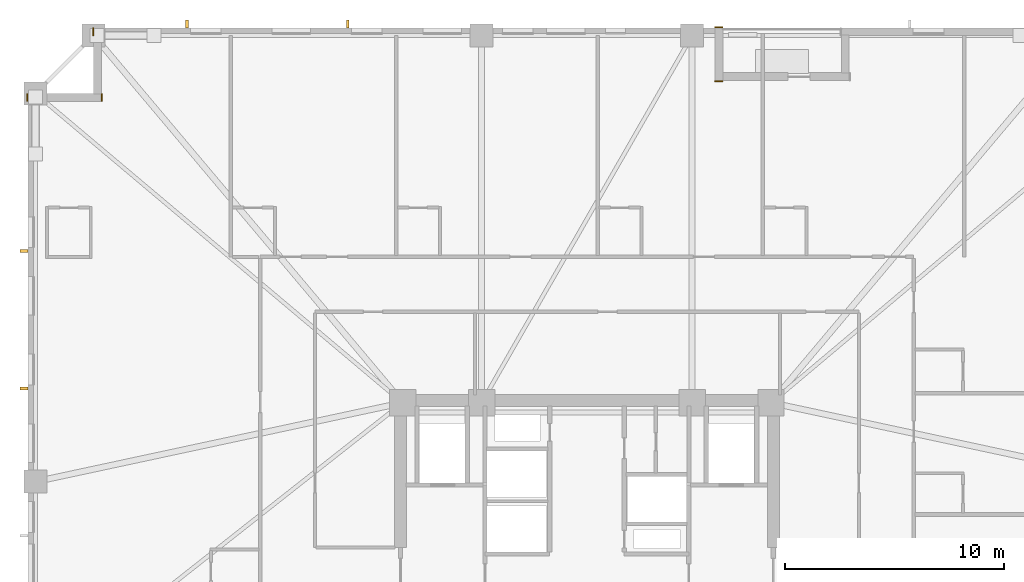
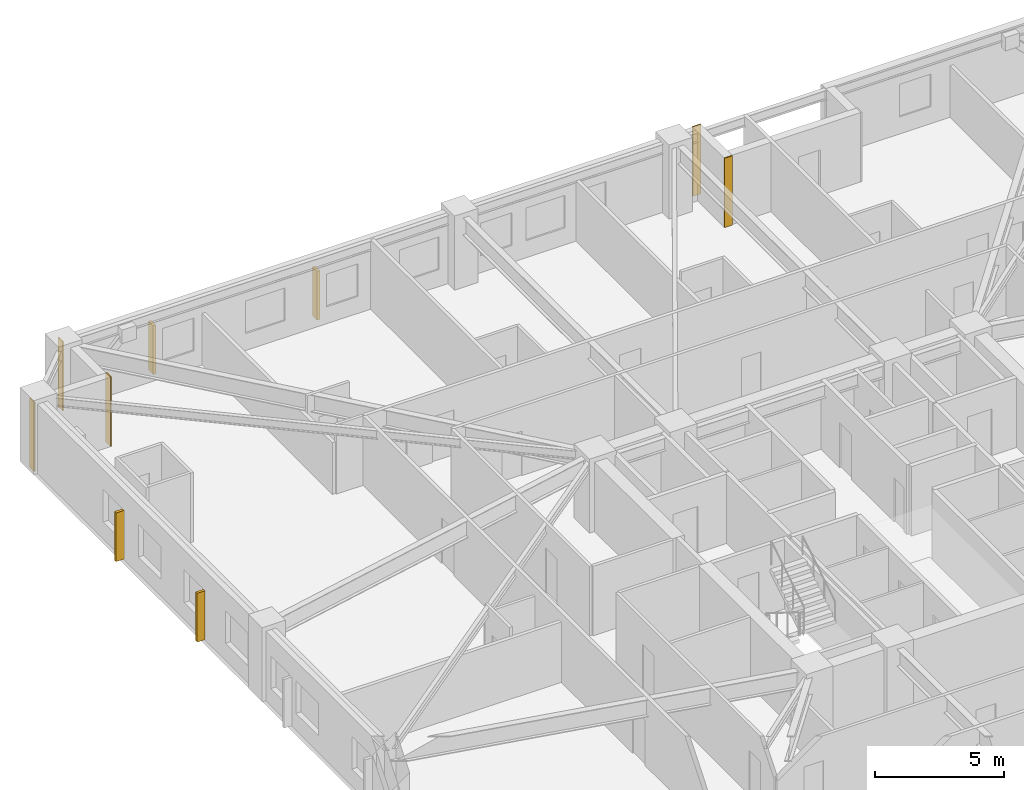
# One storey, part 11 of 12: 5 coverings, 4 shading devices.
"""IFC4 building model written with IfcOpenShell, lengths in metres."""

import ifcopenshell
import ifcopenshell.guid

model = None  # the IFC model being written
_history = None  # IfcOwnerHistory: only IFC2X3 demands one
_inside = {}  # id of a spatial element -> (the spatial element, [elements in it])
_under = {}  # id of a project, library or spatial element -> (it, [spatial elements below it])
_declared = {}  # id of a project -> (the project, [libraries it declares])
_typed = {}  # id of a type object -> (the type object, [elements of that type])
_made_of = {}  # id of a material, layer set ... -> (it, [elements and type objects made of it])


def new_model(schema):
    """Start an empty IFC model of exactly this schema.

    Asked for "IFC4X3", IfcOpenShell would pick the latest addendum, in which some entities
    have other attributes; the version numbers below select the first issue.
    IFC2X3 requires an IfcOwnerHistory on every rooted entity: one is made here for all.
    """
    global model, _history
    if schema == "IFC4X3":
        model = ifcopenshell.file(schema_version=(4, 3, 0, 0))
    else:
        model = ifcopenshell.file(schema=schema)
    _inside.clear()
    _under.clear()
    _declared.clear()
    _typed.clear()
    _made_of.clear()
    _history = None
    if model.schema == "IFC2X3":
        org = make("IfcOrganization", Name="unknown")
        user = make(
            "IfcPersonAndOrganization",
            ThePerson=make("IfcPerson", FamilyName="unknown"),
            TheOrganization=org,
        )
        app = make(
            "IfcApplication",
            ApplicationDeveloper=org,
            Version="unknown",
            ApplicationFullName="unknown",
            ApplicationIdentifier="unknown",
        )
        _history = make(
            "IfcOwnerHistory",
            OwningUser=user,
            OwningApplication=app,
            ChangeAction="ADDED",
            CreationDate=0,
        )
    return model


def make(cls, **values):
    """One entity of the class cls with the attributes given. An attribute that is None is left unset."""
    return model.create_entity(
        cls, **{name: value for name, value in values.items() if value is not None}
    )


def rooted(cls, **values):
    """An entity with a GlobalId (a new one), such as an element, a storey or a relation."""
    return make(cls, GlobalId=ifcopenshell.guid.new(), OwnerHistory=_history, **values)


def si_unit(unit_type, name, prefix=None):
    """IfcSIUnit, for example si_unit("LENGTHUNIT", "METRE", prefix="MILLI")."""
    return make("IfcSIUnit", UnitType=unit_type, Prefix=prefix, Name=name)


def assignment(units):
    """IfcUnitAssignment: the units of a project."""
    return None if units is None else make("IfcUnitAssignment", Units=units)


def point(xyz):
    """IfcCartesianPoint."""
    return None if xyz is None else make("IfcCartesianPoint", Coordinates=xyz)


def direction(xyz):
    """IfcDirection."""
    return None if xyz is None else make("IfcDirection", DirectionRatios=xyz)


def frame(location, z_axis=None, x_axis=None):
    """IfcAxis2Placement3D, a coordinate frame: its origin and axes. An axis left out is left unset."""
    return make(
        "IfcAxis2Placement3D",
        Location=point(location),
        Axis=direction(z_axis),
        RefDirection=direction(x_axis),
    )


def frame_2d(location, x_axis=None):
    """IfcAxis2Placement2D, a coordinate frame in the plane: its origin and x axis."""
    return make(
        "IfcAxis2Placement2D", Location=point(location), RefDirection=direction(x_axis)
    )


def origin():
    """The frame at (0, 0, 0) with its axes left unset."""
    return frame((0.0, 0.0, 0.0))


def origin_2d():
    """The frame at (0, 0) in the plane with its x axis left unset."""
    return frame_2d((0.0, 0.0))


def place(relative_to, where):
    """IfcLocalPlacement: puts the frame where relative to a parent placement (None: the world)."""
    return make(
        "IfcLocalPlacement", PlacementRelTo=relative_to, RelativePlacement=where
    )


def context(
    kind, dimensions, precision=None, world=None, true_north=None, identifier=None
):
    """IfcGeometricRepresentationContext, for example the 3D "Model" context."""
    return make(
        "IfcGeometricRepresentationContext",
        ContextIdentifier=identifier,
        ContextType=kind,
        CoordinateSpaceDimension=dimensions,
        Precision=precision,
        WorldCoordinateSystem=world,
        TrueNorth=true_north,
    )


def subcontext(parent, identifier, kind, view, scale=None):
    """IfcGeometricRepresentationSubContext, for example "Body" below "Model"."""
    return make(
        "IfcGeometricRepresentationSubContext",
        ContextIdentifier=identifier,
        ContextType=kind,
        ParentContext=parent,
        TargetScale=scale,
        TargetView=view,
    )


def project(units=None, contexts=None):
    """IfcProject with its units and contexts."""
    return rooted(
        "IfcProject",
        Name="project",
        RepresentationContexts=contexts,
        UnitsInContext=assignment(units),
    )


def spatial(cls, under=None, at=None, **own):
    """A site, building, storey or space (cls), placed at a placement, below another one or the project."""
    s = rooted(cls, ObjectPlacement=at, **own)
    if under is not None:
        _under.setdefault(under.id(), (under, []))[1].append(s)
    return s


def profile(cls, at=None, kind="AREA", **sizes):
    """A parametric profile (cls). Its sizes go by their IFC names, for example OverallWidth=200.0."""
    return make(cls, ProfileType=kind, Position=at, **sizes)


def rectangle(**sizes):
    """IfcRectangleProfileDef."""
    return profile("IfcRectangleProfileDef", **sizes)


def extrude(swept, where, along, depth):
    """IfcExtrudedAreaSolid: the profile swept, set in the frame where, extruded along a direction by depth."""
    return make(
        "IfcExtrudedAreaSolid",
        SweptArea=swept,
        Position=where,
        ExtrudedDirection=direction(along),
        Depth=depth,
    )


def shape(context_of_items, identifier, shape_type, items):
    """IfcShapeRepresentation: the items that make up one representation, for example the "Body"."""
    return make(
        "IfcShapeRepresentation",
        ContextOfItems=context_of_items,
        RepresentationIdentifier=identifier,
        RepresentationType=shape_type,
        Items=items,
    )


def material(Name=None, Category=None):
    """IfcMaterial."""
    return make("IfcMaterial", Name=Name, Category=Category)


def layer(
    of_material, thickness, ventilated=None, Name=None, Category=None, Priority=None
):
    """IfcMaterialLayer: one layer of a wall or slab, of a material (None: an air gap)."""
    return make(
        "IfcMaterialLayer",
        Material=of_material,
        LayerThickness=thickness,
        IsVentilated=ventilated,
        Name=Name,
        Category=Category,
        Priority=Priority,
    )


def layer_set(layers, Name=None):
    """IfcMaterialLayerSet."""
    return make("IfcMaterialLayerSet", MaterialLayers=layers, LayerSetName=Name)


def made_of(thing, what):
    """Note that an element or type object is made of a material, layer set ...; save() writes the relation."""
    if what is not None:
        _made_of.setdefault(what.id(), (what, []))[1].append(thing)
    return thing


def type_object(cls, material=None, **own):
    """A type object (cls), such as IfcWallType, which elements share."""
    return made_of(rooted(cls, **own), material)


def element(
    cls,
    number,
    at=None,
    inside=None,
    cuts=None,
    type_object=None,
    material=None,
    context=None,
    identifier="Body",
    shape_type=None,
    held_by="IfcProductDefinitionShape",
    body=None,
    shapes=None,
    **own,
):
    """One element of the class cls, such as IfcWall. Its Tag is "e" and its number.

    at: its placement. inside: the storey or other place that contains it. cuts: it is an
    opening in that element (IfcRelVoidsElement). A single representation is given by context,
    identifier, shape_type and body (its items); several are given by shapes. held_by: the class
    of the entity that holds the representations. save() writes the other relations.
    """
    e = rooted(cls, Tag="e%d" % number, ObjectPlacement=at, **own)
    if body is not None:
        shapes = [shape(context, identifier, shape_type, body)]
    if shapes is not None:
        e.Representation = make(held_by, Representations=shapes)
    if inside is not None:
        _inside.setdefault(inside.id(), (inside, []))[1].append(e)
    if cuts is not None:
        rooted(
            "IfcRelVoidsElement", RelatingBuildingElement=cuts, RelatedOpeningElement=e
        )
    if type_object is not None:
        _typed.setdefault(type_object.id(), (type_object, []))[1].append(e)
    return made_of(e, material)


def aggregate(whole, parts):
    """IfcRelAggregates: a whole, such as a stair, and the parts it consists of."""
    return rooted("IfcRelAggregates", RelatingObject=whole, RelatedObjects=parts)


def save(model, path):
    """Write the relations noted so far, then the file.

    IfcRelAggregates (storeys below a building ...), IfcRelContainedInSpatialStructure (elements
    in a storey), IfcRelDefinesByType, IfcRelAssociatesMaterial and IfcRelDeclares: one each for
    every whole, place, type object, material and project.
    """
    for whole, parts in _under.values():
        aggregate(whole, parts)
    for where, things in _inside.values():
        rooted(
            "IfcRelContainedInSpatialStructure",
            RelatedElements=things,
            RelatingStructure=where,
        )
    for kind, things in _typed.values():
        rooted("IfcRelDefinesByType", RelatedObjects=things, RelatingType=kind)
    for what, things in _made_of.values():
        rooted("IfcRelAssociatesMaterial", RelatedObjects=things, RelatingMaterial=what)
    for by, libraries in _declared.values():
        rooted("IfcRelDeclares", RelatingContext=by, RelatedDefinitions=libraries)
    model.write(path)


model = new_model("IFC4")

# Units and contexts
model_context = context("Model", 3, precision=1e-05, world=origin(), true_north=direction((0.0, 1.0)))
body_context = subcontext(model_context, "Body", "Model", "MODEL_VIEW")
ifc_project = project(units=[si_unit("LENGTHUNIT", "METRE"), si_unit("AREAUNIT", "SQUARE_METRE"), si_unit("VOLUMEUNIT", "CUBIC_METRE"), si_unit("PLANEANGLEUNIT", "RADIAN"), si_unit("MASSUNIT", "GRAM", prefix="KILO")], contexts=[model_context])

# Site, building, storey
site_placement = place(None, origin())
site = spatial("IfcSite", under=ifc_project, at=site_placement, CompositionType="ELEMENT")
building_placement = place(site_placement, origin())
building = spatial("IfcBuilding", under=site, at=building_placement, Name="Cairnveth Concourse Tower", CompositionType="ELEMENT")
storey_placement = place(building_placement, frame((0.0, 0.0, 90.0)))
storey = spatial("IfcBuildingStorey", under=building, at=storey_placement, Name="L24", CompositionType="ELEMENT", Elevation=90.0)

# Coverings
ifc_material_1 = material(Name="Dressed Melbourne Bluestone Cladding", Category="masonry")
ifc_layer = layer(ifc_material_1, 0.050048828125)
ifc_layer_set = layer_set([ifc_layer], Name="Dressed Melbourne Bluestone Cladding")
covering_type = type_object("IfcCoveringType", Name="DRESSED BLUESTONE PLINTH CLADDING 50", PredefinedType="CLADDING", material=ifc_layer_set)
for number, where, z_axis, x_axis, name in (
    (1, (26.47998046875, 61.139892578125, 0.0), (0.0, 0.0, 1.0), (0.0, 1.0, 0.0), "Melbourne Bluestone Corner Quoin L24-337"),
    (2, (29.8798828125, 61.139892578125, 0.0), (0.0, 0.0, 1.0), (0.0, 1.0, 0.0), "Melbourne Bluestone Corner Quoin L24-338"),
    (3, (29.47998046875, 64.139892578125, 0.0), (0.0, 0.0, 1.0), (0.0, 1.0, 0.0), "Melbourne Bluestone Corner Quoin L24-339"),
):
    element("IfcCovering", number, at=place(storey_placement, frame(where, z_axis=z_axis, x_axis=x_axis)), inside=storey, type_object=covering_type, Name=name, PredefinedType="CLADDING", context=body_context, shape_type="SweptSolid", body=[
        extrude(rectangle(XDim=0.360107421875, YDim=0.050048828125, at=frame_2d((0.18017578125, 0.0))), origin(), (0.0, 0.0, 1.0), 3.280029296875),
    ])
for number, where, z_axis, x_axis, name in (
    (4, (57.840087890625, 64.52001953125, 0.0), (0.0, 0.0, 1.0), (1.0, 0.0, 0.0), "Melbourne Bluestone Corner Quoin L24-340"),
    (5, (57.840087890625, 62.070068359375, 0.0), (0.0, 0.0, 1.0), (1.0, 0.0, 0.0), "Melbourne Bluestone Corner Quoin L24-341"),
):
    element("IfcCovering", number, at=place(storey_placement, frame(where, z_axis=z_axis, x_axis=x_axis)), inside=storey, type_object=covering_type, Name=name, PredefinedType="CLADDING", context=body_context, shape_type="SweptSolid", body=[
        extrude(rectangle(XDim=0.35986328125, YDim=0.050048828125, at=frame_2d((0.179931640625, 0.0))), origin(), (0.0, 0.0, 1.0), 3.280029296875),
    ])

# Shading devices
ifc_material_2 = material(Name="Architectural Bronze Anodised Aluminium 6063-T6", Category="aluminium")
shading_device_type = type_object("IfcShadingDeviceType", Name="GOTHIC BRONZE VERTICAL LANCET FIN", PredefinedType="USERDEFINED", material=ifc_material_2)
for number, where, z_axis, x_axis, name in (
    (6, (26.324951171875, 48.051513671875, 0.02978515625), (0.0, 0.0, 1.0), (0.0, 1.0, 0.0), "Gothic Bronze Vertical Fin L24-9-9"),
    (7, (26.324951171875, 54.322021484375, 0.02978515625), (0.0, 0.0, 1.0), (0.0, 1.0, 0.0), "Gothic Bronze Vertical Fin L24-9-11"),
    (8, (33.76171875, 64.675048828125, 0.02978515625), (0.0, 0.0, 1.0), (1.0, 0.0, 0.0), "Gothic Bronze Vertical Fin L24-12-1"),
    (9, (41.09912109375, 64.675048828125, 0.02978515625), (0.0, 0.0, 1.0), (1.0, 0.0, 0.0), "Gothic Bronze Vertical Fin L24-12-3"),
):
    element("IfcShadingDevice", number, at=place(storey_placement, frame(where, z_axis=z_axis, x_axis=x_axis)), inside=storey, type_object=shading_device_type, Name=name, ObjectType="VERTICAL FIN", PredefinedType="USERDEFINED", context=body_context, shape_type="SweptSolid", body=[
        extrude(rectangle(XDim=0.1201171875, YDim=0.360107421875, at=origin_2d()), origin(), (0.0, 0.0, 1.0), 2.303955078125),
    ])

save(model, "model.ifc")
